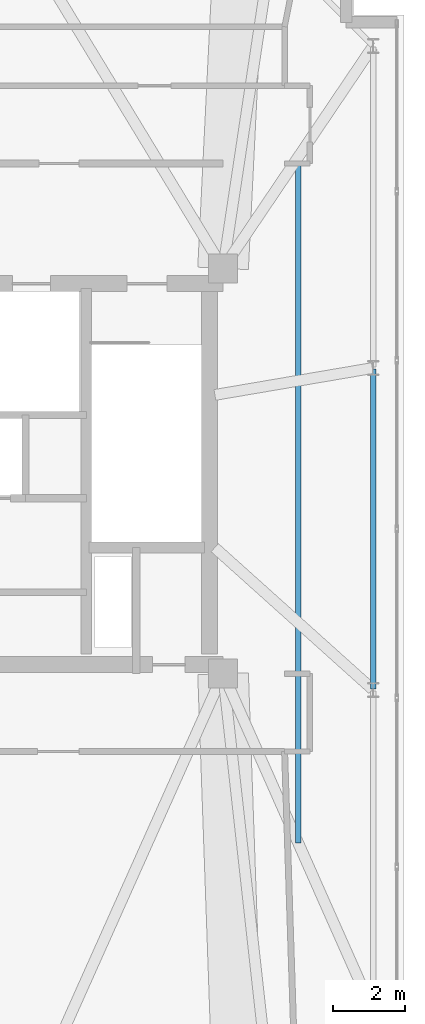
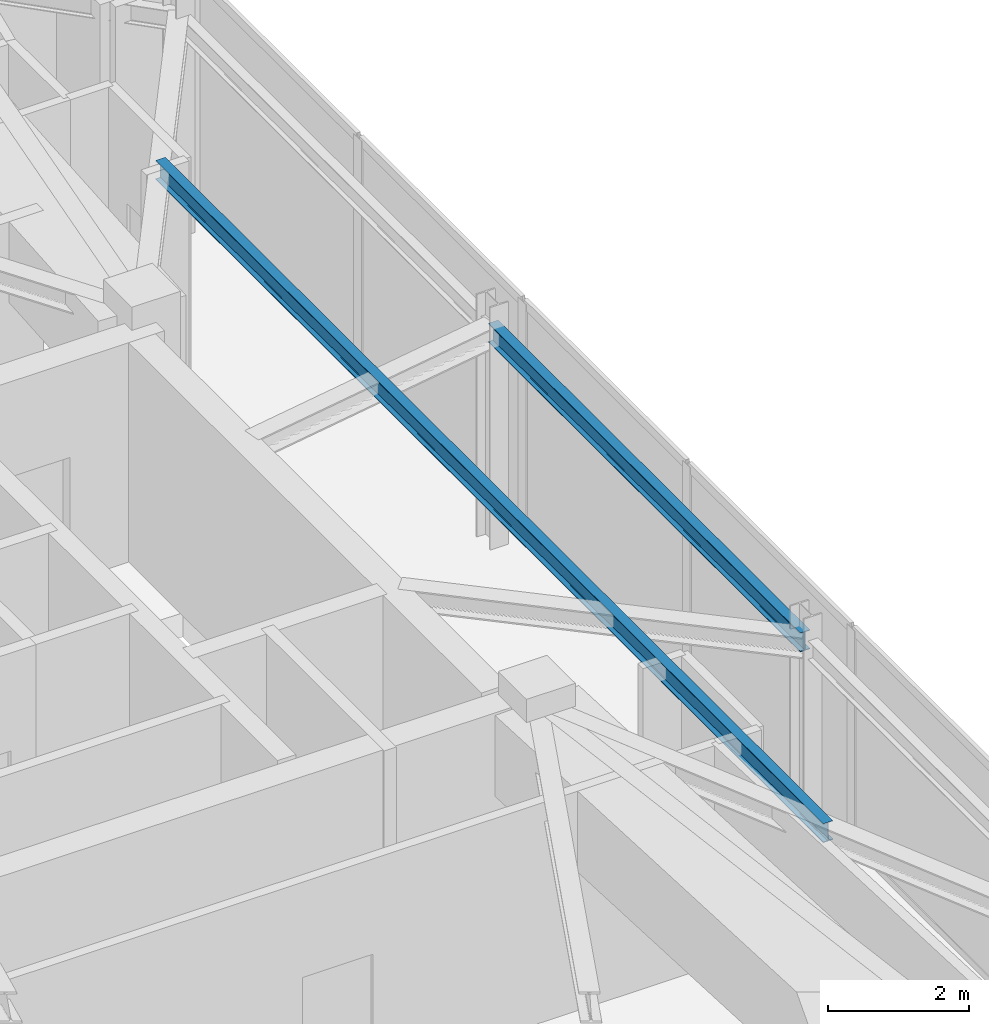
# One storey, part 16 of 27: 2 beams.
"""IFC4 building model written with IfcOpenShell, lengths in metres."""

from ifc_helpers import new_model, si_unit, direction, frame, origin, origin_2d, place, context, subcontext, project, spatial, i_section, extrude, material, material_profile, profile_set, type_object, element, save


model = new_model("IFC4")

# Units and contexts
model_context = context("Model", 3, precision=1e-05, world=origin(), true_north=direction((0.0, 1.0)))
body_context = subcontext(model_context, "Body", "Model", "MODEL_VIEW")
ifc_project = project(units=[si_unit("LENGTHUNIT", "METRE"), si_unit("AREAUNIT", "SQUARE_METRE"), si_unit("VOLUMEUNIT", "CUBIC_METRE"), si_unit("PLANEANGLEUNIT", "RADIAN"), si_unit("MASSUNIT", "GRAM", prefix="KILO")], contexts=[model_context])

# Site, building, storey
site_placement = place(None, origin())
site = spatial("IfcSite", under=ifc_project, at=site_placement, CompositionType="ELEMENT")
building_placement = place(site_placement, origin())
building = spatial("IfcBuilding", under=site, at=building_placement, Name="Qobustan Lattice House", CompositionType="ELEMENT")
storey_placement = place(building_placement, frame((0.0, 0.0, 266.0)))
storey = spatial("IfcBuildingStorey", under=building, at=storey_placement, Name="L75", CompositionType="ELEMENT", Elevation=266.0)

# Beams
ifc_material_1 = material(Name="Steel S355", Category="steel")
ifc_material_profile_1 = material_profile(ifc_material_1, i_section(OverallWidth=0.159912109375, OverallDepth=0.330078125, WebThickness=0.007568359375, FlangeThickness=0.011474609375, FilletRadius=0.01806640625, at=origin_2d()), Name="IPE330")
ifc_profile_set_1 = profile_set([ifc_material_profile_1], Name="Steel S355")
beam_type_1 = type_object("IfcBeamType", Name="BM-SEC-IPE330", PredefinedType="BEAM", material=ifc_profile_set_1)
beam_1_placement = place(storey_placement, frame((20.875, 8.675048828125, 3.635009765625), z_axis=(0.0, -1.0, 0.0), x_axis=(1.0, 0.0, 0.0)))
element("IfcBeam", 1, at=beam_1_placement, inside=storey, type_object=beam_type_1, Name="L75 east wing secondary beam", PredefinedType="BEAM", context=body_context, shape_type="SweptSolid", body=[
    extrude(i_section(OverallWidth=0.159912109375, OverallDepth=0.330078125, WebThickness=0.007568359375, FlangeThickness=0.011474609375, FilletRadius=0.01806640625, at=origin_2d()), origin(), (0.0, 0.0, 1.0), 18.949951171875),
])
ifc_material_2 = material(Name="Steel S355", Category="steel")
ifc_material_profile_2 = material_profile(ifc_material_2, i_section(OverallWidth=0.159912109375, OverallDepth=0.330078125, WebThickness=0.007568359375, FlangeThickness=0.011474609375, FilletRadius=0.01806640625, at=origin_2d()), Name="IPE330")
ifc_profile_set_2 = profile_set([ifc_material_profile_2], Name="Steel S355")
beam_type_2 = type_object("IfcBeamType", Name="BM-SPD-IPE330", PredefinedType="SPANDREL", material=ifc_profile_set_2)
beam_2_placement = place(storey_placement, frame((22.949951171875, -6.02490234375, 3.635009765625), z_axis=(0.0, 1.0, 0.0), x_axis=(-1.0, 0.0, 0.0)))
element("IfcBeam", 2, at=beam_2_placement, inside=storey, type_object=beam_type_2, Name="L75 perimeter spandrel E2-E3", PredefinedType="SPANDREL", context=body_context, shape_type="SweptSolid", body=[
    extrude(i_section(OverallWidth=0.159912109375, OverallDepth=0.330078125, WebThickness=0.007568359375, FlangeThickness=0.011474609375, FilletRadius=0.01806640625, at=origin_2d()), origin(), (0.0, 0.0, 1.0), 8.849853515625),
])

save(model, "model.ifc")
